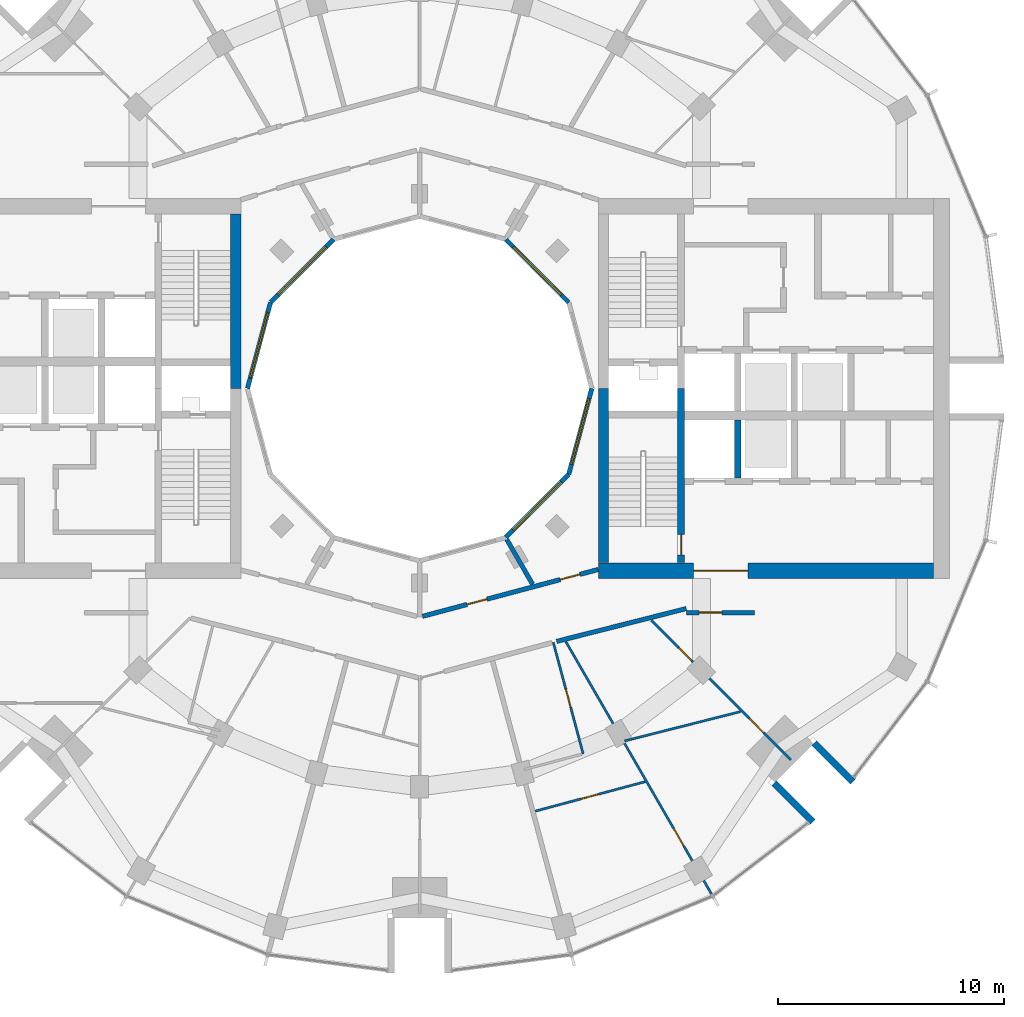
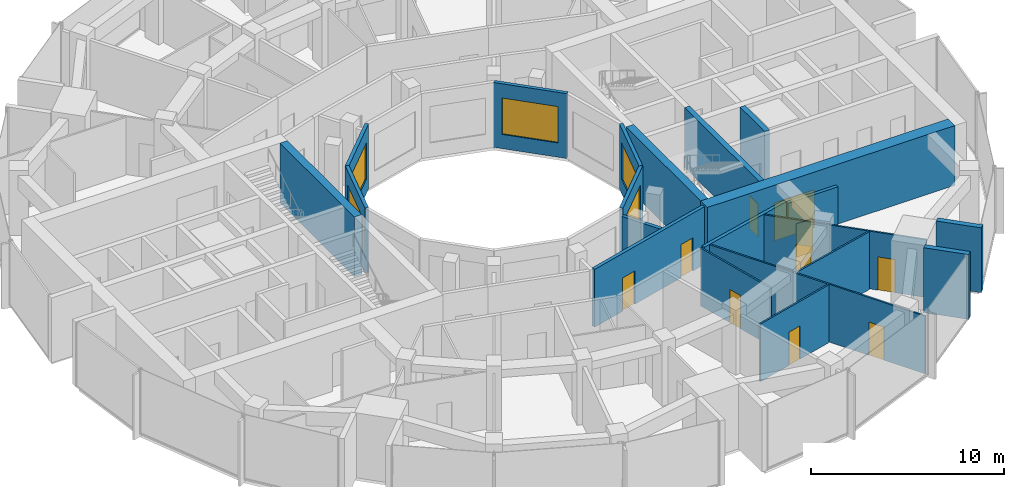
# One storey, part 10 of 15: 21 walls, 10 doors, 5 windows, 15 openings.
"""IFC4 building model written with IfcOpenShell, lengths in metres."""

from ifc_helpers import new_model, si_unit, direction, frame, frame_2d, origin, place, context, subcontext, project, spatial, rectangle, extrude, material, layer, layer_set, type_object, element, fill, save


model = new_model("IFC4")

# Units and contexts
model_context = context("Model", 3, precision=1e-05, world=origin(), true_north=direction((0.0, 1.0)))
body_context = subcontext(model_context, "Body", "Model", "MODEL_VIEW")
ifc_project = project(units=[si_unit("LENGTHUNIT", "METRE"), si_unit("AREAUNIT", "SQUARE_METRE"), si_unit("VOLUMEUNIT", "CUBIC_METRE"), si_unit("PLANEANGLEUNIT", "RADIAN"), si_unit("MASSUNIT", "GRAM", prefix="KILO")], contexts=[model_context])

# Site, building, storey
site_placement = place(None, origin())
site = spatial("IfcSite", under=ifc_project, at=site_placement, CompositionType="ELEMENT")
building_placement = place(site_placement, origin())
building = spatial("IfcBuilding", under=site, at=building_placement, Name="Torre Brocal", CompositionType="ELEMENT")
storey_placement = place(building_placement, frame((0.0, 0.0, 186.39990234375)))
storey = spatial("IfcBuildingStorey", under=building, at=storey_placement, Name="L43", CompositionType="ELEMENT", Elevation=186.39990234375)

# Wall, opening, door
ifc_material_1 = material(Name="Concrete C70", Category="concrete")
ifc_layer_1 = layer(ifc_material_1, 0.300048828125)
ifc_layer_set_1 = layer_set([ifc_layer_1], Name="Concrete C70")
wall_type_1 = type_object("IfcWallType", Name="CORE WALL 300 C70", PredefinedType="SHEAR", material=ifc_layer_set_1)
wall_1_placement = place(storey_placement, frame((91.550048828125, 67.300048828125, 0.0), z_axis=(0.0, 0.0, 1.0), x_axis=(0.0, 1.0, 0.0)))
wall_1 = element("IfcWall", 1, at=wall_1_placement, inside=storey, type_object=wall_type_1, Name="Wall CW300-70", PredefinedType="SHEAR", context=body_context, shape_type="SweptSolid", body=[
    extrude(rectangle(XDim=7.699951171875, YDim=0.300048828125, at=frame_2d((3.85009765625, 0.0))), origin(), (0.0, 0.0, 1.0), 3.780029296875),
])
opening_1_placement = place(wall_1_placement, frame((0.35009765625, 0.0, 0.0)))
opening_1 = element("IfcOpeningElement", 2, at=opening_1_placement, cuts=wall_1, Name="Opening E-D03", PredefinedType="OPENING", context=body_context, shape_type="SweptSolid", body=[
    extrude(rectangle(XDim=0.89990234375, YDim=2.10009765625, at=frame_2d((0.449951171875, 1.050048828125))), frame((0.0, 0.159912109375, 0.0), z_axis=(0.0, -1.0, 0.0), x_axis=(1.0, 0.0, 0.0)), (0.0, 0.0, 1.0), 0.320068359375),
])
ifc_material_2 = material(Name="Steel A653", Category="steel")
door_type_1 = type_object("IfcDoorType", Name="STAIR DOOR FD120 900X2100", OperationType="SINGLE_SWING_RIGHT", PredefinedType="DOOR", material=ifc_material_2)
door_1_placement = place(opening_1_placement, origin())
door_1 = element("IfcDoor", 3, at=door_1_placement, inside=storey, type_object=door_type_1, Name="Door E-D03", OperationType="SINGLE_SWING_LEFT", OverallHeight=2.10009765625, OverallWidth=0.89990234375, PredefinedType="DOOR", context=body_context, shape_type="SweptSolid", body=[
    extrude(rectangle(XDim=0.89990234375, YDim=2.10009765625, at=frame_2d((0.449951171875, 1.050048828125))), frame((0.0, 0.02490234375, 0.0), z_axis=(0.0, -1.0, 0.0), x_axis=(1.0, 0.0, 0.0)), (0.0, 0.0, 1.0), 0.050048828125),
])
fill(opening_1, door_1)

# Walls
wall_2_placement = place(storey_placement, frame((94.050048828125, 71.050048828125, 0.0), z_axis=(0.0, 0.0, 1.0), x_axis=(0.0, 1.0, 0.0)))
element("IfcWall", 4, at=wall_2_placement, inside=storey, type_object=wall_type_1, Name="Wall CW300-70", PredefinedType="SHEAR", context=body_context, shape_type="SweptSolid", body=[
    extrude(rectangle(XDim=2.550048828125, YDim=0.300048828125, at=frame_2d((1.27490234375, 0.0))), origin(), (0.0, 0.0, 1.0), 3.780029296875),
])
ifc_material_3 = material(Name="Concrete C70", Category="concrete")
ifc_layer_2 = layer(ifc_material_3, 0.449951171875)
ifc_layer_set_2 = layer_set([ifc_layer_2], Name="Concrete C70")
wall_type_2 = type_object("IfcWallType", Name="CORE WALL 450 C70", PredefinedType="SHEAR", material=ifc_layer_set_2)
for number, where, z_axis, x_axis, name in (
    (5, (88.125, 67.300048828125, 0.0), (0.0, 0.0, 1.0), (0.0, 1.0, 0.0), "Wall CW450-70"),
    (6, (71.875, 82.699951171875, 0.0), (0.0, 0.0, 1.0), (0.0, -1.0, 0.0), "Wall CW450-70"),
):
    element("IfcWall", number, at=place(storey_placement, frame(where, z_axis=z_axis, x_axis=x_axis)), inside=storey, type_object=wall_type_2, Name=name, PredefinedType="SHEAR", context=body_context, shape_type="SweptSolid", body=[
        extrude(rectangle(XDim=7.699951171875, YDim=0.449951171875, at=frame_2d((3.85009765625, 0.0))), origin(), (0.0, 0.0, 1.0), 3.780029296875),
    ])

# Wall, opening, door
ifc_material_4 = material(Name="Concrete C70", Category="concrete")
ifc_layer_3 = layer(ifc_material_4, 0.699951171875)
ifc_layer_set_3 = layer_set([ifc_layer_3], Name="Concrete C70")
wall_type_3 = type_object("IfcWallType", Name="CORE WALL 700 C70", PredefinedType="SHEAR", material=ifc_layer_set_3)
wall_3_placement = place(storey_placement, frame((87.89990234375, 66.949951171875, 0.0), z_axis=(0.0, 0.0, 1.0), x_axis=(1.0, 0.0, 0.0)))
wall_3 = element("IfcWall", 7, at=wall_3_placement, inside=storey, type_object=wall_type_3, Name="Wall CW700-70", PredefinedType="SHEAR", context=body_context, shape_type="SweptSolid", body=[
    extrude(rectangle(XDim=14.800048828125, YDim=0.699951171875, at=frame_2d((7.39990234375, 0.0))), origin(), (0.0, 0.0, 1.0), 3.780029296875),
])
opening_2_placement = place(wall_3_placement, frame((4.199951171875, 0.0, 0.0)))
opening_2 = element("IfcOpeningElement", 8, at=opening_2_placement, cuts=wall_3, Name="Opening E-D12", PredefinedType="OPENING", context=body_context, shape_type="SweptSolid", body=[
    extrude(rectangle(XDim=2.39990234375, YDim=2.39990234375, at=frame_2d((1.199951171875, 1.199951171875))), frame((0.0, 0.35986328125, 0.0), z_axis=(0.0, -1.0, 0.0), x_axis=(1.0, 0.0, 0.0)), (0.0, 0.0, 1.0), 0.719970703125),
])
ifc_material_5 = material(Name="Steel A653", Category="steel")
door_type_2 = type_object("IfcDoorType", Name="DOUBLE FIRE DOOR FD90 2400X2400", OperationType="DOUBLE_DOOR_SINGLE_SWING", PredefinedType="DOOR", material=ifc_material_5)
door_2_placement = place(opening_2_placement, origin())
door_2 = element("IfcDoor", 9, at=door_2_placement, inside=storey, type_object=door_type_2, Name="Door E-D12", OperationType="DOUBLE_DOOR_SINGLE_SWING", OverallHeight=2.39990234375, OverallWidth=2.39990234375, PredefinedType="DOOR", context=body_context, shape_type="SweptSolid", body=[
    extrude(rectangle(XDim=2.39990234375, YDim=2.39990234375, at=frame_2d((1.199951171875, 1.199951171875))), frame((0.0, 0.02490234375, 0.0), z_axis=(0.0, -1.0, 0.0), x_axis=(1.0, 0.0, 0.0)), (0.0, 0.0, 1.0), 0.050048828125),
])
fill(opening_2, door_2)

# Walls
ifc_material_6 = material(Name="Concrete C70", Category="concrete")
ifc_layer_4 = layer(ifc_material_6, 0.300048828125)
ifc_layer_set_4 = layer_set([ifc_layer_4], Name="Concrete C70")
wall_type_4 = type_object("IfcWallType", Name="NOTCH RETURN WALL 300 C70", PredefinedType="NOTDEFINED", material=ifc_layer_set_4)
for number, where, z_axis, x_axis, name in (
    (10, (95.662353515625, 57.56982421875, 0.0), (0.0, 0.0, 1.0), (0.707106781187, -0.707106781187, 0.0), "NOTCH RETURN WALL"),
    (11, (97.43017578125, 59.337646484375, 0.0), (0.0, 0.0, 1.0), (0.707106781187, -0.707106781187, 0.0), "NOTCH RETURN WALL"),
):
    element("IfcWall", number, at=place(storey_placement, frame(where, z_axis=z_axis, x_axis=x_axis)), inside=storey, type_object=wall_type_4, Name=name, PredefinedType="NOTDEFINED", context=body_context, shape_type="SweptSolid", body=[
        extrude(rectangle(XDim=2.415771484375, YDim=0.300048828125, at=frame_2d((1.2080078125, 0.0))), origin(), (0.0, 0.0, 1.0), 4.10009765625),
    ])

# Wall, opening, door
ifc_material_7 = material(Name="Gypsum board", Category="Gypsum")
ifc_layer_5 = layer(ifc_material_7, 0.10009765625)
ifc_layer_set_5 = layer_set([ifc_layer_5], Name="Gypsum board")
wall_type_5 = type_object("IfcWallType", Name="PARTITION 100", PredefinedType="PARTITIONING", material=ifc_layer_set_5)
wall_4_placement = place(storey_placement, frame((85.107666015625, 56.325927734375, 0.0), z_axis=(0.0, 0.0, 1.0), x_axis=(0.965919870225, 0.258841272413, 0.0)))
wall_4 = element("IfcWall", 12, at=wall_4_placement, inside=storey, type_object=wall_type_5, Name="BATHROOM WALL", PredefinedType="PARTITIONING", context=body_context, shape_type="SweptSolid", body=[
    extrude(rectangle(XDim=5.02734375, YDim=0.10009765625, at=frame_2d((2.513671875, 0.0))), origin(), (0.0, 0.0, 1.0), 3.650146484375),
])
opening_3_placement = place(wall_4_placement, frame((2.093994140625, 0.0, 0.0)))
opening_3 = element("IfcOpeningElement", 13, at=opening_3_placement, cuts=wall_4, Name="Opening R03-D26", PredefinedType="OPENING", context=body_context, shape_type="SweptSolid", body=[
    extrude(rectangle(XDim=0.800048828125, YDim=2.10009765625, at=frame_2d((0.39990234375, 1.050048828125))), frame((0.0, 0.06005859375, 0.0), z_axis=(0.0, -1.0, 0.0), x_axis=(1.0, 0.0, 0.0)), (0.0, 0.0, 1.0), 0.1201171875),
])
ifc_material_8 = material(Name="Timber", Category="wood")
door_type_3 = type_object("IfcDoorType", Name="BATHROOM DOOR 800X2100", OperationType="SINGLE_SWING_LEFT", PredefinedType="DOOR", material=ifc_material_8)
door_3_placement = place(opening_3_placement, frame((0.800048828125, 0.0, 0.0), z_axis=(0.0, 0.0, 1.0), x_axis=(-1.0, 0.0, 0.0)))
door_3 = element("IfcDoor", 14, at=door_3_placement, inside=storey, type_object=door_type_3, Name="R03-D26", OperationType="SINGLE_SWING_RIGHT", OverallHeight=2.10009765625, OverallWidth=0.800048828125, PredefinedType="DOOR", context=body_context, shape_type="SweptSolid", body=[
    extrude(rectangle(XDim=0.800048828125, YDim=2.10009765625, at=frame_2d((0.39990234375, 1.050048828125))), frame((0.0, 0.02490234375, 0.0), z_axis=(0.0, -1.0, 0.0), x_axis=(1.0, 0.0, 0.0)), (0.0, 0.0, 1.0), 0.050048828125),
])
fill(opening_3, door_3)

wall_5_placement = place(storey_placement, frame((85.904052734375, 63.785888671875, 0.0), z_axis=(0.0, 0.0, 1.0), x_axis=(0.258857329124, -0.965915567303, 0.0)))
wall_5 = element("IfcWall", 15, at=wall_5_placement, inside=storey, type_object=wall_type_5, Name="BATHROOM WALL", PredefinedType="PARTITIONING", context=body_context, shape_type="SweptSolid", body=[
    extrude(rectangle(XDim=5.099609375, YDim=0.10009765625, at=frame_2d((2.5498046875, 0.0))), origin(), (0.0, 0.0, 1.0), 3.650146484375),
])
opening_4_placement = place(wall_5_placement, frame((2.14990234375, 0.0, 0.0)))
opening_4 = element("IfcOpeningElement", 16, at=opening_4_placement, cuts=wall_5, Name="Opening R03-D25", PredefinedType="OPENING", context=body_context, shape_type="SweptSolid", body=[
    extrude(rectangle(XDim=0.800048828125, YDim=2.10009765625, at=frame_2d((0.39990234375, 1.050048828125))), frame((0.0, 0.06005859375, 0.0), z_axis=(0.0, -1.0, 0.0), x_axis=(1.0, 0.0, 0.0)), (0.0, 0.0, 1.0), 0.1201171875),
])
door_4_placement = place(opening_4_placement, frame((0.800048828125, 0.0, 0.0), z_axis=(0.0, 0.0, 1.0), x_axis=(-1.0, 0.0, 0.0)))
door_4 = element("IfcDoor", 17, at=door_4_placement, inside=storey, type_object=door_type_3, Name="R03-D25", OperationType="SINGLE_SWING_RIGHT", OverallHeight=2.10009765625, OverallWidth=0.800048828125, PredefinedType="DOOR", context=body_context, shape_type="SweptSolid", body=[
    extrude(rectangle(XDim=0.800048828125, YDim=2.10009765625, at=frame_2d((0.39990234375, 1.050048828125))), frame((0.0, 0.02490234375, 0.0), z_axis=(0.0, -1.0, 0.0), x_axis=(1.0, 0.0, 0.0)), (0.0, 0.0, 1.0), 0.050048828125),
])
fill(opening_4, door_4)

wall_6_placement = place(storey_placement, frame((86.46142578125, 63.810302734375, 0.0), z_axis=(0.0, 0.0, 1.0), x_axis=(0.499911751641, -0.866076348004, 0.0)))
wall_6 = element("IfcWall", 18, at=wall_6_placement, inside=storey, type_object=wall_type_5, Name="BATHROOM WALL", PredefinedType="PARTITIONING", context=body_context, shape_type="SweptSolid", body=[
    extrude(rectangle(XDim=12.876220703125, YDim=0.10009765625, at=frame_2d((6.43798828125, 0.0))), origin(), (0.0, 0.0, 1.0), 3.650146484375),
])
opening_5_placement = place(wall_6_placement, frame((9.513671875, 0.0, 0.0)))
opening_5 = element("IfcOpeningElement", 19, at=opening_5_placement, cuts=wall_6, Name="Opening R03-D24", PredefinedType="OPENING", context=body_context, shape_type="SweptSolid", body=[
    extrude(rectangle(XDim=0.89990234375, YDim=2.10009765625, at=frame_2d((0.449951171875, 1.050048828125))), frame((0.0, 0.06005859375, 0.0), z_axis=(0.0, -1.0, 0.0), x_axis=(1.0, 0.0, 0.0)), (0.0, 0.0, 1.0), 0.1201171875),
])
ifc_material_9 = material(Name="Timber", Category="wood")
door_type_4 = type_object("IfcDoorType", Name="ROOM DOOR 900X2100", OperationType="SINGLE_SWING_LEFT", PredefinedType="DOOR", material=ifc_material_9)
door_5_placement = place(opening_5_placement, origin())
door_5 = element("IfcDoor", 20, at=door_5_placement, inside=storey, type_object=door_type_4, Name="R03-D24", OperationType="SINGLE_SWING_RIGHT", OverallHeight=2.10009765625, OverallWidth=0.89990234375, PredefinedType="DOOR", context=body_context, shape_type="SweptSolid", body=[
    extrude(rectangle(XDim=0.89990234375, YDim=2.10009765625, at=frame_2d((0.449951171875, 1.050048828125))), frame((0.0, 0.02490234375, 0.0), z_axis=(0.0, -1.0, 0.0), x_axis=(1.0, 0.0, 0.0)), (0.0, 0.0, 1.0), 0.050048828125),
])
fill(opening_5, door_5)

# Wall
wall_7_placement = place(storey_placement, frame((89.0576171875, 59.4287109375, 0.0), z_axis=(0.0, 0.0, 1.0), x_axis=(0.96946321375, 0.2452367778, 0.0)))
element("IfcWall", 21, at=wall_7_placement, inside=storey, type_object=wall_type_5, Name="BATHROOM WALL", PredefinedType="PARTITIONING", context=body_context, shape_type="SweptSolid", body=[
    extrude(rectangle(XDim=5.272216796875, YDim=0.10009765625, at=frame_2d((2.63623046875, 0.0))), origin(), (0.0, 0.0, 1.0), 3.650146484375),
])

# Wall, openings, doors
wall_8_placement = place(storey_placement, frame((90.23583984375, 64.7578125, 0.0), z_axis=(0.0, 0.0, 1.0), x_axis=(0.706924769926, -0.707288745609, 0.0)))
wall_8 = element("IfcWall", 22, at=wall_8_placement, inside=storey, type_object=wall_type_5, Name="BATHROOM WALL", PredefinedType="PARTITIONING", context=body_context, shape_type="SweptSolid", body=[
    extrude(rectangle(XDim=8.719970703125, YDim=0.10009765625, at=frame_2d((4.35986328125, 0.0))), origin(), (0.0, 0.0, 1.0), 3.650146484375),
])
opening_6_placement = place(wall_8_placement, frame((6.114013671875, 0.0, 0.0)))
opening_6 = element("IfcOpeningElement", 23, at=opening_6_placement, cuts=wall_8, Name="Opening R03-D22", PredefinedType="OPENING", context=body_context, shape_type="SweptSolid", body=[
    extrude(rectangle(XDim=0.89990234375, YDim=2.10009765625, at=frame_2d((0.449951171875, 1.050048828125))), frame((0.0, 0.06005859375, 0.0), z_axis=(0.0, -1.0, 0.0), x_axis=(1.0, 0.0, 0.0)), (0.0, 0.0, 1.0), 0.1201171875),
])
opening_7_placement = place(wall_8_placement, frame((1.722412109375, 0.0, 0.0)))
opening_7 = element("IfcOpeningElement", 24, at=opening_7_placement, cuts=wall_8, Name="Opening R03-D23", PredefinedType="OPENING", context=body_context, shape_type="SweptSolid", body=[
    extrude(rectangle(XDim=0.800048828125, YDim=2.10009765625, at=frame_2d((0.39990234375, 1.050048828125))), frame((0.0, 0.06005859375, 0.0), z_axis=(0.0, -1.0, 0.0), x_axis=(1.0, 0.0, 0.0)), (0.0, 0.0, 1.0), 0.1201171875),
])
door_6_placement = place(opening_7_placement, frame((0.800048828125, 0.0, 0.0), z_axis=(0.0, 0.0, 1.0), x_axis=(-1.0, 0.0, 0.0)))
door_6 = element("IfcDoor", 25, at=door_6_placement, inside=storey, type_object=door_type_3, Name="R03-D23", OperationType="SINGLE_SWING_RIGHT", OverallHeight=2.10009765625, OverallWidth=0.800048828125, PredefinedType="DOOR", context=body_context, shape_type="SweptSolid", body=[
    extrude(rectangle(XDim=0.800048828125, YDim=2.10009765625, at=frame_2d((0.39990234375, 1.050048828125))), frame((0.0, 0.02490234375, 0.0), z_axis=(0.0, -1.0, 0.0), x_axis=(1.0, 0.0, 0.0)), (0.0, 0.0, 1.0), 0.050048828125),
])
fill(opening_7, door_6)
door_7_placement = place(opening_6_placement, origin())
door_7 = element("IfcDoor", 26, at=door_7_placement, inside=storey, type_object=door_type_4, Name="R03-D22", OperationType="SINGLE_SWING_RIGHT", OverallHeight=2.10009765625, OverallWidth=0.89990234375, PredefinedType="DOOR", context=body_context, shape_type="SweptSolid", body=[
    extrude(rectangle(XDim=0.89990234375, YDim=2.10009765625, at=frame_2d((0.449951171875, 1.050048828125))), frame((0.0, 0.02490234375, 0.0), z_axis=(0.0, -1.0, 0.0), x_axis=(1.0, 0.0, 0.0)), (0.0, 0.0, 1.0), 0.050048828125),
])
fill(opening_6, door_7)

ifc_material_10 = material(Name="Gypsum board", Category="Gypsum")
ifc_layer_6 = layer(ifc_material_10, 0.199951171875)
ifc_layer_set_6 = layer_set([ifc_layer_6], Name="Gypsum board")
wall_type_6 = type_object("IfcWallType", Name="PARTITION 200 EI60", PredefinedType="PARTITIONING", material=ifc_layer_set_6)
wall_9_placement = place(storey_placement, frame((80.125, 64.931640625, 0.0), z_axis=(0.0, 0.0, 1.0), x_axis=(0.966236955806, 0.257655089674, 0.0)))
wall_9 = element("IfcWall", 27, at=wall_9_placement, inside=storey, type_object=wall_type_6, Name="CORRIDOR WALL", PredefinedType="PARTITIONING", context=body_context, shape_type="SweptSolid", body=[
    extrude(rectangle(XDim=8.0390625, YDim=0.199951171875, at=frame_2d((4.01953125, 0.0))), origin(), (0.0, 0.0, 1.0), 3.650146484375),
])
opening_8_placement = place(wall_9_placement, frame((6.298095703125, 0.0, 0.0)))
opening_8 = element("IfcOpeningElement", 28, at=opening_8_placement, cuts=wall_9, Name="Opening R03-D38", PredefinedType="OPENING", context=body_context, shape_type="SweptSolid", body=[
    extrude(rectangle(XDim=0.89990234375, YDim=2.10009765625, at=frame_2d((0.449951171875, 1.050048828125))), frame((0.0, 0.10986328125, 0.0), z_axis=(0.0, -1.0, 0.0), x_axis=(1.0, 0.0, 0.0)), (0.0, 0.0, 1.0), 0.219970703125),
])
opening_9_placement = place(wall_9_placement, frame((2.044921875, 0.0, 0.0)))
opening_9 = element("IfcOpeningElement", 29, at=opening_9_placement, cuts=wall_9, Name="Opening R03-D39", PredefinedType="OPENING", context=body_context, shape_type="SweptSolid", body=[
    extrude(rectangle(XDim=0.89990234375, YDim=2.10009765625, at=frame_2d((0.449951171875, 1.050048828125))), frame((0.0, 0.10986328125, 0.0), z_axis=(0.0, -1.0, 0.0), x_axis=(1.0, 0.0, 0.0)), (0.0, 0.0, 1.0), 0.219970703125),
])
door_8_placement = place(opening_8_placement, origin())
door_8 = element("IfcDoor", 30, at=door_8_placement, inside=storey, type_object=door_type_4, Name="R03-D38", OperationType="SINGLE_SWING_RIGHT", OverallHeight=2.10009765625, OverallWidth=0.89990234375, PredefinedType="DOOR", context=body_context, shape_type="SweptSolid", body=[
    extrude(rectangle(XDim=0.89990234375, YDim=2.10009765625, at=frame_2d((0.449951171875, 1.050048828125))), frame((0.0, 0.02490234375, 0.0), z_axis=(0.0, -1.0, 0.0), x_axis=(1.0, 0.0, 0.0)), (0.0, 0.0, 1.0), 0.050048828125),
])
fill(opening_8, door_8)
door_9_placement = place(opening_9_placement, origin())
door_9 = element("IfcDoor", 31, at=door_9_placement, inside=storey, type_object=door_type_4, Name="R03-D39", OperationType="SINGLE_SWING_RIGHT", OverallHeight=2.10009765625, OverallWidth=0.89990234375, PredefinedType="DOOR", context=body_context, shape_type="SweptSolid", body=[
    extrude(rectangle(XDim=0.89990234375, YDim=2.10009765625, at=frame_2d((0.449951171875, 1.050048828125))), frame((0.0, 0.02490234375, 0.0), z_axis=(0.0, -1.0, 0.0), x_axis=(1.0, 0.0, 0.0)), (0.0, 0.0, 1.0), 0.050048828125),
])
fill(opening_9, door_9)

# Walls
wall_10_placement = place(storey_placement, frame((83.847412109375, 68.33203125, 0.0), z_axis=(0.0, 0.0, 1.0), x_axis=(0.499953638813, -0.866052168773, 0.0)))
element("IfcWall", 32, at=wall_10_placement, inside=storey, type_object=wall_type_6, Name="SERVICE ROOM WALL", PredefinedType="PARTITIONING", context=body_context, shape_type="SweptSolid", body=[
    extrude(rectangle(XDim=2.285400390625, YDim=0.199951171875, at=frame_2d((1.142578125, 0.0))), origin(), (0.0, 0.0, 1.0), 3.650146484375),
])
wall_11_placement = place(storey_placement, frame((86.052978515625, 63.826171875, 0.0), z_axis=(0.0, 0.0, 1.0), x_axis=(0.969490004987, 0.245130843083, 0.0)))
element("IfcWall", 33, at=wall_11_placement, inside=storey, type_object=wall_type_6, Name="FLAT ENTRANCE WALL", PredefinedType="PARTITIONING", context=body_context, shape_type="SweptSolid", body=[
    extrude(rectangle(XDim=5.907958984375, YDim=0.199951171875, at=frame_2d((2.9541015625, 0.0))), origin(), (0.0, 0.0, 1.0), 3.650146484375),
])

# Wall, opening, door
wall_12_placement = place(storey_placement, frame((91.800048828125, 65.10009765625, 0.0), z_axis=(0.0, 0.0, 1.0), x_axis=(1.0, 0.0, 0.0)))
wall_12 = element("IfcWall", 34, at=wall_12_placement, inside=storey, type_object=wall_type_6, Name="FLAT ENTRANCE WALL", PredefinedType="PARTITIONING", context=body_context, shape_type="SweptSolid", body=[
    extrude(rectangle(XDim=3.0, YDim=0.199951171875, at=frame_2d((1.5, 0.0))), origin(), (0.0, 0.0, 1.0), 3.650146484375),
])
opening_10_placement = place(wall_12_placement, frame((0.550048828125, 0.0, 0.0)))
opening_10 = element("IfcOpeningElement", 35, at=opening_10_placement, cuts=wall_12, Name="Opening R03-D21", PredefinedType="OPENING", context=body_context, shape_type="SweptSolid", body=[
    extrude(rectangle(XDim=1.0, YDim=2.10009765625, at=frame_2d((0.5, 1.050048828125))), frame((0.0, 0.10986328125, 0.0), z_axis=(0.0, -1.0, 0.0), x_axis=(1.0, 0.0, 0.0)), (0.0, 0.0, 1.0), 0.219970703125),
])
ifc_material_11 = material(Name="Timber", Category="wood")
door_type_5 = type_object("IfcDoorType", Name="FLAT ENTRY DOOR FD30S 1000X2100", OperationType="SINGLE_SWING_RIGHT", PredefinedType="DOOR", material=ifc_material_11)
door_10_placement = place(opening_10_placement, frame((1.0, 0.0, 0.0), z_axis=(0.0, 0.0, 1.0), x_axis=(-1.0, 0.0, 0.0)))
door_10 = element("IfcDoor", 36, at=door_10_placement, inside=storey, type_object=door_type_5, Name="R03-D21", OperationType="SINGLE_SWING_RIGHT", OverallHeight=2.10009765625, OverallWidth=1.0, PredefinedType="DOOR", context=body_context, shape_type="SweptSolid", body=[
    extrude(rectangle(XDim=1.0, YDim=2.10009765625, at=frame_2d((0.5, 1.050048828125))), frame((0.0, 0.02490234375, 0.0), z_axis=(0.0, -1.0, 0.0), x_axis=(1.0, 0.0, 0.0)), (0.0, 0.0, 1.0), 0.050048828125),
])
fill(opening_10, door_10)

# Wall, opening, window
ifc_material_12 = material(Name="Concrete C40", Category="concrete")
ifc_layer_7 = layer(ifc_material_12, 0.199951171875)
ifc_layer_set_7 = layer_set([ifc_layer_7], Name="Concrete C40")
wall_type_7 = type_object("IfcWallType", Name="WELL FACADE WALL 200", PredefinedType="NOTDEFINED", material=ifc_layer_set_7)
wall_13_placement = place(storey_placement, frame((86.5849609375, 78.8017578125, 0.0), z_axis=(0.0, 0.0, 1.0), x_axis=(-0.707106781187, 0.707106781187, 0.0)))
wall_13 = element("IfcWall", 37, at=wall_13_placement, inside=storey, type_object=wall_type_7, Name="WELL FACADE WALL", PredefinedType="NOTDEFINED", context=body_context, shape_type="SweptSolid", body=[
    extrude(rectangle(XDim=3.93603515625, YDim=0.199951171875, at=frame_2d((1.968017578125, 0.0))), origin(), (0.0, 0.0, 1.0), 4.10009765625),
])
opening_11_placement = place(wall_13_placement, frame((0.468017578125, 0.0, 0.89990234375)))
opening_11 = element("IfcOpeningElement", 38, at=opening_11_placement, cuts=wall_13, Name="Opening W1", PredefinedType="OPENING", context=body_context, shape_type="SweptSolid", body=[
    extrude(rectangle(XDim=3.0, YDim=2.300048828125, at=frame_2d((1.5, 1.14990234375))), frame((0.0, 0.10986328125, 0.0), z_axis=(0.0, -1.0, 0.0), x_axis=(1.0, 0.0, 0.0)), (0.0, 0.0, 1.0), 0.219970703125),
])
ifc_material_13 = material(Name="Aluminium and glass", Category="aluminium")
window_type = type_object("IfcWindowType", Name="WELL WINDOW 3000X2300", PartitioningType="SINGLE_PANEL", PredefinedType="WINDOW", material=ifc_material_13)
window_1_placement = place(opening_11_placement, origin())
window_1 = element("IfcWindow", 39, at=window_1_placement, inside=storey, type_object=window_type, Name="WELL WINDOW 3000X2300", OverallHeight=2.300048828125, OverallWidth=3.0, PartitioningType="SINGLE_PANEL", PredefinedType="WINDOW", context=body_context, shape_type="SweptSolid", body=[
    extrude(rectangle(XDim=3.0, YDim=2.300048828125, at=frame_2d((1.5, 1.14990234375))), frame((0.0, 0.030029296875, 0.0), z_axis=(0.0, -1.0, 0.0), x_axis=(1.0, 0.0, 0.0)), (0.0, 0.0, 1.0), 0.06005859375),
])
fill(opening_11, window_1)

wall_14_placement = place(storey_placement, frame((76.1982421875, 81.5849609375, 0.0), z_axis=(0.0, 0.0, 1.0), x_axis=(-0.707106781187, -0.707106781187, 0.0)))
wall_14 = element("IfcWall", 40, at=wall_14_placement, inside=storey, type_object=wall_type_7, Name="WELL FACADE WALL", PredefinedType="NOTDEFINED", context=body_context, shape_type="SweptSolid", body=[
    extrude(rectangle(XDim=3.93603515625, YDim=0.199951171875, at=frame_2d((1.968017578125, 0.0))), origin(), (0.0, 0.0, 1.0), 4.10009765625),
])
opening_12_placement = place(wall_14_placement, frame((0.468017578125, 0.0, 0.89990234375)))
opening_12 = element("IfcOpeningElement", 41, at=opening_12_placement, cuts=wall_14, Name="Opening W1", PredefinedType="OPENING", context=body_context, shape_type="SweptSolid", body=[
    extrude(rectangle(XDim=3.0, YDim=2.300048828125, at=frame_2d((1.5, 1.14990234375))), frame((0.0, 0.10986328125, 0.0), z_axis=(0.0, -1.0, 0.0), x_axis=(1.0, 0.0, 0.0)), (0.0, 0.0, 1.0), 0.219970703125),
])
window_2_placement = place(opening_12_placement, origin())
window_2 = element("IfcWindow", 42, at=window_2_placement, inside=storey, type_object=window_type, Name="WELL WINDOW 3000X2300", OverallHeight=2.300048828125, OverallWidth=3.0, PartitioningType="SINGLE_PANEL", PredefinedType="WINDOW", context=body_context, shape_type="SweptSolid", body=[
    extrude(rectangle(XDim=3.0, YDim=2.300048828125, at=frame_2d((1.5, 1.14990234375))), frame((0.0, 0.030029296875, 0.0), z_axis=(0.0, -1.0, 0.0), x_axis=(1.0, 0.0, 0.0)), (0.0, 0.0, 1.0), 0.06005859375),
])
fill(opening_12, window_2)

wall_15_placement = place(storey_placement, frame((73.4150390625, 78.8017578125, 0.0), z_axis=(0.0, 0.0, 1.0), x_axis=(-0.258789828301, -0.965933654434, 0.0)))
wall_15 = element("IfcWall", 43, at=wall_15_placement, inside=storey, type_object=wall_type_7, Name="WELL FACADE WALL", PredefinedType="NOTDEFINED", context=body_context, shape_type="SweptSolid", body=[
    extrude(rectangle(XDim=3.935791015625, YDim=0.199951171875, at=frame_2d((1.9677734375, 0.0))), origin(), (0.0, 0.0, 1.0), 4.10009765625),
])
opening_13_placement = place(wall_15_placement, frame((0.468017578125, 0.0, 0.89990234375)))
opening_13 = element("IfcOpeningElement", 44, at=opening_13_placement, cuts=wall_15, Name="Opening W1", PredefinedType="OPENING", context=body_context, shape_type="SweptSolid", body=[
    extrude(rectangle(XDim=3.0, YDim=2.300048828125, at=frame_2d((1.5, 1.14990234375))), frame((0.0, 0.10986328125, 0.0), z_axis=(0.0, -1.0, 0.0), x_axis=(1.0, 0.0, 0.0)), (0.0, 0.0, 1.0), 0.219970703125),
])
window_3_placement = place(opening_13_placement, origin())
window_3 = element("IfcWindow", 45, at=window_3_placement, inside=storey, type_object=window_type, Name="WELL WINDOW 3000X2300", OverallHeight=2.300048828125, OverallWidth=3.0, PartitioningType="SINGLE_PANEL", PredefinedType="WINDOW", context=body_context, shape_type="SweptSolid", body=[
    extrude(rectangle(XDim=3.0, YDim=2.300048828125, at=frame_2d((1.5, 1.14990234375))), frame((0.0, 0.030029296875, 0.0), z_axis=(0.0, -1.0, 0.0), x_axis=(1.0, 0.0, 0.0)), (0.0, 0.0, 1.0), 0.06005859375),
])
fill(opening_13, window_3)

wall_16_placement = place(storey_placement, frame((83.8017578125, 68.4150390625, 0.0), z_axis=(0.0, 0.0, 1.0), x_axis=(0.707106781187, 0.707106781187, 0.0)))
wall_16 = element("IfcWall", 46, at=wall_16_placement, inside=storey, type_object=wall_type_7, Name="WELL FACADE WALL", PredefinedType="NOTDEFINED", context=body_context, shape_type="SweptSolid", body=[
    extrude(rectangle(XDim=3.93603515625, YDim=0.199951171875, at=frame_2d((1.968017578125, 0.0))), origin(), (0.0, 0.0, 1.0), 4.10009765625),
])
opening_14_placement = place(wall_16_placement, frame((0.468017578125, 0.0, 0.89990234375)))
opening_14 = element("IfcOpeningElement", 47, at=opening_14_placement, cuts=wall_16, Name="Opening W1", PredefinedType="OPENING", context=body_context, shape_type="SweptSolid", body=[
    extrude(rectangle(XDim=3.0, YDim=2.300048828125, at=frame_2d((1.5, 1.14990234375))), frame((0.0, 0.10986328125, 0.0), z_axis=(0.0, -1.0, 0.0), x_axis=(1.0, 0.0, 0.0)), (0.0, 0.0, 1.0), 0.219970703125),
])
window_4_placement = place(opening_14_placement, origin())
window_4 = element("IfcWindow", 48, at=window_4_placement, inside=storey, type_object=window_type, Name="WELL WINDOW 3000X2300", OverallHeight=2.300048828125, OverallWidth=3.0, PartitioningType="SINGLE_PANEL", PredefinedType="WINDOW", context=body_context, shape_type="SweptSolid", body=[
    extrude(rectangle(XDim=3.0, YDim=2.300048828125, at=frame_2d((1.5, 1.14990234375))), frame((0.0, 0.030029296875, 0.0), z_axis=(0.0, -1.0, 0.0), x_axis=(1.0, 0.0, 0.0)), (0.0, 0.0, 1.0), 0.06005859375),
])
fill(opening_14, window_4)

wall_17_placement = place(storey_placement, frame((86.5849609375, 71.1982421875, 0.0), z_axis=(0.0, 0.0, 1.0), x_axis=(0.258789828301, 0.965933654434, 0.0)))
wall_17 = element("IfcWall", 49, at=wall_17_placement, inside=storey, type_object=wall_type_7, Name="WELL FACADE WALL", PredefinedType="NOTDEFINED", context=body_context, shape_type="SweptSolid", body=[
    extrude(rectangle(XDim=3.935791015625, YDim=0.199951171875, at=frame_2d((1.9677734375, 0.0))), origin(), (0.0, 0.0, 1.0), 4.10009765625),
])
opening_15_placement = place(wall_17_placement, frame((0.468017578125, 0.0, 0.89990234375)))
opening_15 = element("IfcOpeningElement", 50, at=opening_15_placement, cuts=wall_17, Name="Opening W1", PredefinedType="OPENING", context=body_context, shape_type="SweptSolid", body=[
    extrude(rectangle(XDim=3.0, YDim=2.300048828125, at=frame_2d((1.5, 1.14990234375))), frame((0.0, 0.10986328125, 0.0), z_axis=(0.0, -1.0, 0.0), x_axis=(1.0, 0.0, 0.0)), (0.0, 0.0, 1.0), 0.219970703125),
])
window_5_placement = place(opening_15_placement, origin())
window_5 = element("IfcWindow", 51, at=window_5_placement, inside=storey, type_object=window_type, Name="WELL WINDOW 3000X2300", OverallHeight=2.300048828125, OverallWidth=3.0, PartitioningType="SINGLE_PANEL", PredefinedType="WINDOW", context=body_context, shape_type="SweptSolid", body=[
    extrude(rectangle(XDim=3.0, YDim=2.300048828125, at=frame_2d((1.5, 1.14990234375))), frame((0.0, 0.030029296875, 0.0), z_axis=(0.0, -1.0, 0.0), x_axis=(1.0, 0.0, 0.0)), (0.0, 0.0, 1.0), 0.06005859375),
])
fill(opening_15, window_5)

save(model, "model.ifc")
